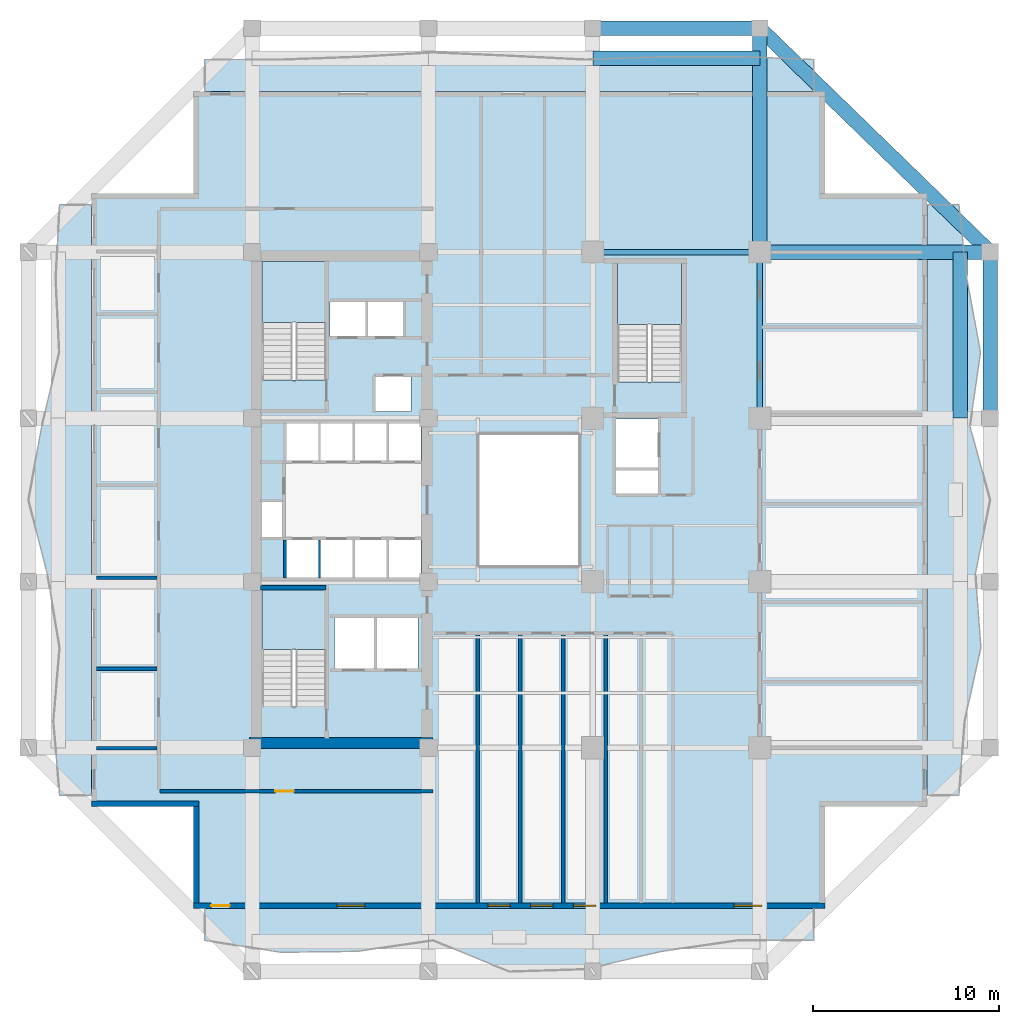
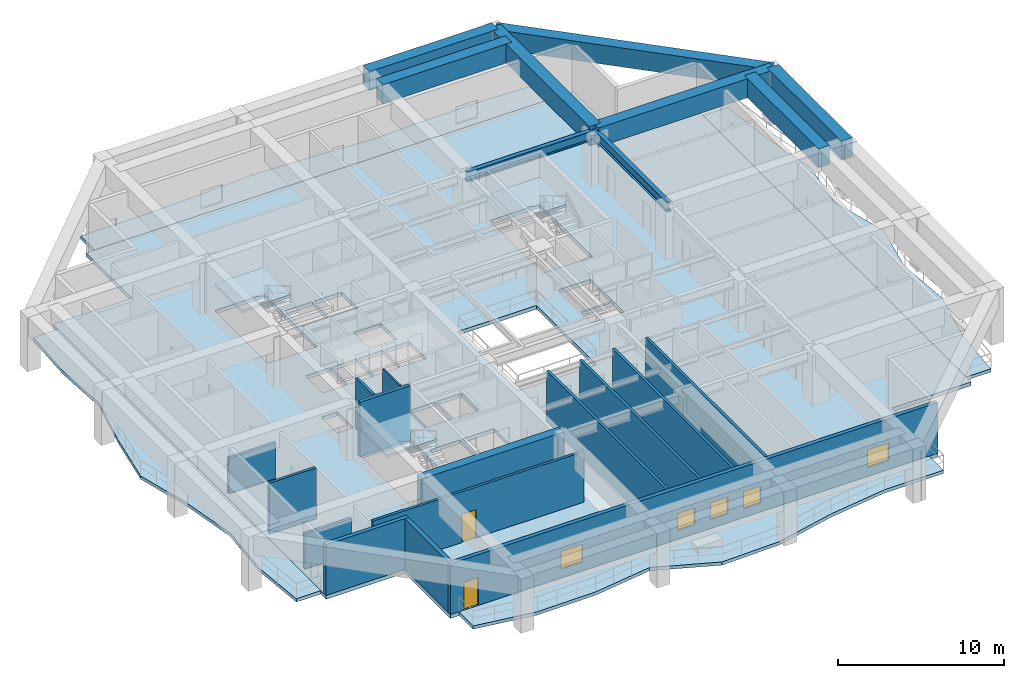
# One storey, part 2 of 13: 15 walls, 9 beams, 8 slabs, 5 windows, 2 doors, 7 openings, 3 elements without a shape of their own.
"""IFC4 building model written with IfcOpenShell, lengths in metres."""

from ifc_helpers import new_model, si_unit, direction, frame, frame_2d, origin, origin_2d, place, context, subcontext, project, spatial, polyline, rectangle, i_section, outline, extrude, material, layer, layer_set, material_profile, profile_set, type_object, element, fill, aggregate, save


model = new_model("IFC4")

# Units and contexts
model_context = context("Model", 3, precision=1e-05, world=origin(), true_north=direction((0.0, 1.0)))
body_context = subcontext(model_context, "Body", "Model", "MODEL_VIEW")
ifc_project = project(units=[si_unit("LENGTHUNIT", "METRE"), si_unit("AREAUNIT", "SQUARE_METRE"), si_unit("VOLUMEUNIT", "CUBIC_METRE"), si_unit("PLANEANGLEUNIT", "RADIAN"), si_unit("MASSUNIT", "GRAM", prefix="KILO")], contexts=[model_context])

# Site, building, storey
site_placement = place(None, origin())
site = spatial("IfcSite", under=ifc_project, at=site_placement, CompositionType="ELEMENT")
building_placement = place(site_placement, origin())
building = spatial("IfcBuilding", under=site, at=building_placement, Name="Kundavana Baori Tower", CompositionType="ELEMENT")
storey_placement = place(building_placement, frame((0.0, 0.0, 78.0)))
storey = spatial("IfcBuildingStorey", under=building, at=storey_placement, Name="L18", CompositionType="ELEMENT", Elevation=78.0)

# Beams
ifc_material_1 = material(Name="Structural Steel S355JR", Category="steel")
ifc_material_profile_1 = material_profile(ifc_material_1, i_section(OverallWidth=0.300048828125, OverallDepth=0.699951171875, WebThickness=0.014404296875, FlangeThickness=0.02392578125, FilletRadius=0.02392578125, at=origin_2d()), Name="NPB 700x300x170")
ifc_profile_set_1 = profile_set([ifc_material_profile_1], Name="Structural Steel S355JR")
beam_type_1 = type_object("IfcBeamType", Name="BM-ST-700", PredefinedType="BEAM", material=ifc_profile_set_1)
beam_1_placement = place(storey_placement, frame((33.800048828125, 41.949951171875, 3.389892578125), z_axis=(1.0, 0.0, 0.0), x_axis=(0.0, 1.0, 0.0)))
element("IfcBeam", 1, at=beam_1_placement, inside=storey, type_object=beam_type_1, Name="L18 Primary Grid Girder GX-4-3", PredefinedType="BEAM", context=body_context, shape_type="SweptSolid", body=[
    extrude(i_section(OverallWidth=0.300048828125, OverallDepth=0.699951171875, WebThickness=0.014404296875, FlangeThickness=0.02392578125, FilletRadius=0.02392578125, at=origin_2d()), origin(), (0.0, 0.0, 1.0), 9.0),
])
beam_2_placement = place(storey_placement, frame((42.800048828125, 33.0, 3.389892578125), z_axis=(0.0, 1.0, 0.0), x_axis=(-1.0, 0.0, 0.0)))
element("IfcBeam", 2, at=beam_2_placement, inside=storey, type_object=beam_type_1, Name="L18 Primary Grid Girder GY-4-3", PredefinedType="BEAM", context=body_context, shape_type="SweptSolid", body=[
    extrude(i_section(OverallWidth=0.300048828125, OverallDepth=0.699951171875, WebThickness=0.014404296875, FlangeThickness=0.02392578125, FilletRadius=0.02392578125, at=origin_2d()), origin(), (0.0, 0.0, 1.0), 8.949951171875),
])
ifc_material_2 = material(Name="Concrete C50/60", Category="concrete")
ifc_material_profile_2 = material_profile(ifc_material_2, rectangle(XDim=0.780029296875, YDim=1.39990234375, at=origin_2d()), Name="BM-TG-2")
ifc_profile_set_2 = profile_set([ifc_material_profile_2], Name="Concrete C50/60")
beam_type_2 = type_object("IfcBeamType", Name="BM-TG-2", PredefinedType="USERDEFINED", material=ifc_profile_set_2)
beam_3_placement = place(storey_placement, frame((33.800048828125, 54.0, 3.300048828125), z_axis=(1.0, 0.0, 0.0), x_axis=(0.0, 1.0, 0.0)))
element("IfcBeam", 3, at=beam_3_placement, inside=storey, type_object=beam_type_2, Name="L18 Perimeter Frame Ring Beam N3", ObjectType="TRANSFER GIRDER", PredefinedType="USERDEFINED", context=body_context, shape_type="SweptSolid", body=[
    extrude(rectangle(XDim=0.780029296875, YDim=1.39990234375, at=origin_2d()), origin(), (0.0, 0.0, 1.0), 9.0),
])
beam_4_placement = place(storey_placement, frame((55.199951171875, 33.0, 3.300048828125), z_axis=(0.0, 1.0, 0.0), x_axis=(-1.0, 0.0, 0.0)))
element("IfcBeam", 4, at=beam_4_placement, inside=storey, type_object=beam_type_2, Name="L18 Perimeter Frame Ring Beam E3", ObjectType="TRANSFER GIRDER", PredefinedType="USERDEFINED", context=body_context, shape_type="SweptSolid", body=[
    extrude(rectangle(XDim=0.780029296875, YDim=1.39990234375, at=origin_2d()), origin(), (0.0, 0.0, 1.0), 8.949951171875),
])
beam_5_placement = place(storey_placement, frame((42.800048828125, 54.0, 3.300048828125), z_axis=(0.717151334594, -0.696917472367, 0.0), x_axis=(0.696917472367, 0.717151334594, 0.0)))
element("IfcBeam", 5, at=beam_5_placement, inside=storey, type_object=beam_type_2, Name="L18 Notched Corner Perimeter Beam NE", ObjectType="TRANSFER GIRDER", PredefinedType="USERDEFINED", context=body_context, shape_type="SweptSolid", body=[
    extrude(rectangle(XDim=0.780029296875, YDim=1.39990234375, at=origin_2d()), origin(), (0.0, 0.0, 1.0), 17.29052734375),
])
beam_6_placement = place(storey_placement, frame((42.800048828125, 41.949951171875, 3.300048828125), z_axis=(0.0, 1.0, 0.0), x_axis=(-1.0, 0.0, 0.0)))
element("IfcBeam", 6, at=beam_6_placement, inside=storey, type_object=beam_type_2, Name="L18 North Radial Transfer Girder N4", ObjectType="TRANSFER GIRDER", PredefinedType="USERDEFINED", context=body_context, shape_type="SweptSolid", body=[
    extrude(rectangle(XDim=0.780029296875, YDim=1.39990234375, at=origin_2d()), origin(), (0.0, 0.0, 1.0), 12.050048828125),
])
beam_7_placement = place(storey_placement, frame((42.800048828125, 41.949951171875, 3.300048828125), z_axis=(1.0, 0.0, 0.0), x_axis=(0.0, 1.0, 0.0)))
element("IfcBeam", 7, at=beam_7_placement, inside=storey, type_object=beam_type_2, Name="L18 East Radial Transfer Girder E4", ObjectType="TRANSFER GIRDER", PredefinedType="USERDEFINED", context=body_context, shape_type="SweptSolid", body=[
    extrude(rectangle(XDim=0.780029296875, YDim=1.39990234375, at=origin_2d()), origin(), (0.0, 0.0, 1.0), 12.39990234375),
])
beam_8_placement = place(storey_placement, frame((33.800048828125, 52.39990234375, 3.300048828125), z_axis=(1.0, 0.0, 0.0), x_axis=(0.0, 1.0, 0.0)))
element("IfcBeam", 8, at=beam_8_placement, inside=storey, type_object=beam_type_2, Name="L18 Setback Collar Transfer Girder N3", ObjectType="TRANSFER GIRDER", PredefinedType="USERDEFINED", context=body_context, shape_type="SweptSolid", body=[
    extrude(rectangle(XDim=0.780029296875, YDim=1.39990234375, at=origin_2d()), origin(), (0.0, 0.0, 1.0), 9.0),
])
beam_9_placement = place(storey_placement, frame((53.60009765625, 33.0, 3.300048828125), z_axis=(0.0, 1.0, 0.0), x_axis=(-1.0, 0.0, 0.0)))
element("IfcBeam", 9, at=beam_9_placement, inside=storey, type_object=beam_type_2, Name="L18 Setback Collar Transfer Girder E3", ObjectType="TRANSFER GIRDER", PredefinedType="USERDEFINED", context=body_context, shape_type="SweptSolid", body=[
    extrude(rectangle(XDim=0.780029296875, YDim=1.39990234375, at=origin_2d()), origin(), (0.0, 0.0, 1.0), 8.949951171875),
])

# Slab
ifc_material_3 = material(Name="Concrete C40/50", Category="concrete")
ifc_layer_1 = layer(ifc_material_3, 0.280029296875, Name="SLB-FLR-280")
ifc_layer_set_1 = layer_set([ifc_layer_1], Name="Concrete C40/50")
slab_type_1 = type_object("IfcSlabType", Name="SLB-FLR-280", PredefinedType="FLOOR", material=ifc_layer_set_1)
slab_1_placement = place(storey_placement, frame((0.0, 0.0, -0.280029296875)))
element("IfcSlab", 10, at=slab_1_placement, inside=storey, type_object=slab_type_1, Name="L18 Structural Floor Slab", PredefinedType="FLOOR", context=body_context, shape_type="SweptSolid", body=[
    extrude(outline(polyline([(12.300048828125, 6.60009765625), (46.300048828125, 6.60009765625), (46.300048828125, 12.10009765625), (51.800048828125, 12.10009765625), (51.800048828125, 45.10009765625), (46.300048828125, 45.10009765625), (46.300048828125, 50.60009765625), (12.300048828125, 50.60009765625), (12.300048828125, 45.10009765625), (6.800048828125, 45.10009765625), (6.800048828125, 12.10009765625), (12.300048828125, 12.10009765625), (12.300048828125, 6.60009765625)]), holes=[polyline([(19.43994140625, 17.4619140625), (19.43994140625, 23.85009765625), (15.97998046875, 23.85009765625), (15.97998046875, 17.4619140625), (19.43994140625, 17.4619140625)]), polyline([(19.43994140625, 35.06201171875), (19.43994140625, 41.449951171875), (15.97998046875, 41.449951171875), (15.97998046875, 35.06201171875), (19.43994140625, 35.06201171875)]), polyline([(38.580078125, 34.9619140625), (38.580078125, 41.35009765625), (35.1201171875, 41.35009765625), (35.1201171875, 34.9619140625), (38.580078125, 34.9619140625)]), polyline([(17.300048828125, 24.39990234375), (19.02001953125, 24.39990234375), (19.02001953125, 26.449951171875), (17.300048828125, 26.449951171875), (17.300048828125, 24.39990234375)]), polyline([(19.139892578125, 24.39990234375), (20.860107421875, 24.39990234375), (20.860107421875, 26.449951171875), (19.139892578125, 26.449951171875), (19.139892578125, 24.39990234375)]), polyline([(20.97998046875, 24.39990234375), (22.699951171875, 24.39990234375), (22.699951171875, 26.449951171875), (20.97998046875, 26.449951171875), (20.97998046875, 24.39990234375)]), polyline([(22.820068359375, 24.39990234375), (24.5400390625, 24.39990234375), (24.5400390625, 26.449951171875), (22.820068359375, 26.449951171875), (22.820068359375, 24.39990234375)]), polyline([(17.300048828125, 30.699951171875), (19.02001953125, 30.699951171875), (19.02001953125, 32.75), (17.300048828125, 32.75), (17.300048828125, 30.699951171875)]), polyline([(19.139892578125, 30.699951171875), (20.860107421875, 30.699951171875), (20.860107421875, 32.75), (19.139892578125, 32.75), (19.139892578125, 30.699951171875)]), polyline([(20.97998046875, 30.699951171875), (22.699951171875, 30.699951171875), (22.699951171875, 32.75), (20.97998046875, 32.75), (20.97998046875, 30.699951171875)]), polyline([(22.820068359375, 30.699951171875), (24.5400390625, 30.699951171875), (24.5400390625, 32.75), (22.820068359375, 32.75), (22.820068359375, 30.699951171875)]), polyline([(19.64990234375, 37.39990234375), (21.550048828125, 37.39990234375), (21.550048828125, 39.300048828125), (19.64990234375, 39.300048828125), (19.64990234375, 37.39990234375)]), polyline([(21.699951171875, 37.39990234375), (23.60009765625, 37.39990234375), (23.60009765625, 39.300048828125), (21.699951171875, 39.300048828125), (21.699951171875, 37.39990234375)]), polyline([(22.10009765625, 33.35009765625), (24.0, 33.35009765625), (24.0, 35.25), (22.10009765625, 35.25), (22.10009765625, 33.35009765625)]), polyline([(19.8798828125, 19.5), (22.02001953125, 19.5), (22.02001953125, 22.25), (19.8798828125, 22.25), (19.8798828125, 19.5)]), polyline([(22.179931640625, 19.5), (24.3798828125, 19.5), (24.3798828125, 22.25), (22.179931640625, 22.25), (22.179931640625, 19.5)]), polyline([(35.050048828125, 30.35009765625), (37.300048828125, 30.35009765625), (37.300048828125, 32.949951171875), (35.050048828125, 32.949951171875), (35.050048828125, 30.35009765625)]), polyline([(15.949951171875, 26.60009765625), (17.080078125, 26.60009765625), (17.080078125, 28.5), (15.949951171875, 28.5), (15.949951171875, 26.60009765625)]), polyline([(35.050048828125, 28.949951171875), (37.300048828125, 28.949951171875), (37.300048828125, 30.199951171875), (35.050048828125, 30.199951171875), (35.050048828125, 28.949951171875)]), polyline([(27.60009765625, 25.0), (33.10009765625, 25.0), (33.10009765625, 32.199951171875), (27.60009765625, 32.199951171875), (27.60009765625, 25.0)])]), origin(), (0.0, 0.0, 1.0), 0.280029296875),
])

# Stair, slab
ifc_material_4 = material(Name="Concrete C40/50", Category="concrete")
stair_type = type_object("IfcStairType", Name="STR-DOG-1650", PredefinedType="HALF_TURN_STAIR", material=ifc_material_4)
stair_1_placement = place(storey_placement, origin())
stair_1 = element("IfcStair", 11, at=stair_1_placement, inside=storey, type_object=stair_type, Name="L18 Protected Exit Stair ST1", PredefinedType="HALF_TURN_STAIR")
ifc_material_5 = material(Name="Concrete C40/50", Category="concrete")
ifc_layer_2 = layer(ifc_material_5, 0.199951171875, Name="SLB-LND-200")
ifc_layer_set_2 = layer_set([ifc_layer_2], Name="Concrete C40/50")
slab_type_2 = type_object("IfcSlabType", Name="SLB-LND-200", PredefinedType="LANDING", material=ifc_layer_set_2)
slab_2_placement = place(storey_placement, frame((0.0, 0.0, 1.800048828125)))
slab_2 = element("IfcSlab", 12, at=slab_2_placement, type_object=slab_type_2, Name="ST1 landing 1", PredefinedType="LANDING", context=body_context, shape_type="SweptSolid", body=[
    extrude(outline(polyline([(19.43994140625, 20.550048828125), (19.43994140625, 23.85009765625), (15.97998046875, 23.85009765625), (15.97998046875, 20.550048828125), (19.43994140625, 20.550048828125)])), origin(), (0.0, 0.0, 1.0), 0.199951171875),
])
aggregate(stair_1, [slab_2])

stair_2_placement = place(storey_placement, origin())
stair_2 = element("IfcStair", 13, at=stair_2_placement, inside=storey, type_object=stair_type, Name="L18 Protected Exit Stair ST2", PredefinedType="HALF_TURN_STAIR")
slab_3_placement = place(storey_placement, frame((0.0, 0.0, 1.800048828125)))
slab_3 = element("IfcSlab", 14, at=slab_3_placement, type_object=slab_type_2, Name="ST2 landing 1", PredefinedType="LANDING", context=body_context, shape_type="SweptSolid", body=[
    extrude(outline(polyline([(19.43994140625, 38.14990234375), (19.43994140625, 41.449951171875), (15.97998046875, 41.449951171875), (15.97998046875, 38.14990234375), (19.43994140625, 38.14990234375)])), origin(), (0.0, 0.0, 1.0), 0.199951171875),
])
aggregate(stair_2, [slab_3])

stair_3_placement = place(storey_placement, origin())
stair_3 = element("IfcStair", 15, at=stair_3_placement, inside=storey, type_object=stair_type, Name="L18 Protected Exit Stair ST3", PredefinedType="HALF_TURN_STAIR")
slab_4_placement = place(storey_placement, frame((0.0, 0.0, 1.800048828125)))
slab_4 = element("IfcSlab", 16, at=slab_4_placement, type_object=slab_type_2, Name="ST3 landing 1", PredefinedType="LANDING", context=body_context, shape_type="SweptSolid", body=[
    extrude(outline(polyline([(38.580078125, 38.050048828125), (38.580078125, 41.35009765625), (35.1201171875, 41.35009765625), (35.1201171875, 38.050048828125), (38.580078125, 38.050048828125)])), origin(), (0.0, 0.0, 1.0), 0.199951171875),
])
aggregate(stair_3, [slab_4])

# Slabs
ifc_material_6 = material(Name="Concrete C40/50", Category="concrete")
ifc_layer_3 = layer(ifc_material_6, 0.239990234375, Name="SLB-LOG-240")
ifc_layer_set_3 = layer_set([ifc_layer_3], Name="Concrete C40/50")
slab_type_3 = type_object("IfcSlabType", Name="SLB-LOG-240", PredefinedType="FLOOR", material=ifc_layer_set_3)
slab_5_placement = place(storey_placement, frame((0.0, 0.0, -0.239990234375)))
element("IfcSlab", 17, at=slab_5_placement, inside=storey, type_object=slab_type_3, Name="L18 Planted Loggia Balcony Slab S", PredefinedType="FLOOR", context=body_context, shape_type="SweptSolid", body=[
    extrude(outline(polyline([(12.89990234375, 6.60009765625), (45.699951171875, 6.60009765625), (45.699951171875, 4.8798828125), (41.60009765625, 4.8798828125), (37.5, 4.285888671875), (33.39990234375, 3.327880859375), (29.300048828125, 3.199951171875), (25.199951171875, 4.8798828125), (21.10009765625, 4.285888671875), (17.0, 4.237060546875), (12.89990234375, 4.8798828125), (12.89990234375, 6.60009765625)])), origin(), (0.0, 0.0, 1.0), 0.239990234375),
])
slab_6_placement = place(storey_placement, frame((0.0, 0.0, -0.239990234375)))
element("IfcSlab", 18, at=slab_6_placement, inside=storey, type_object=slab_type_3, Name="L18 Planted Loggia Balcony Slab E", PredefinedType="FLOOR", context=body_context, shape_type="SweptSolid", body=[
    extrude(outline(polyline([(51.800048828125, 12.699951171875), (51.800048828125, 44.5), (53.52001953125, 44.5), (53.947021484375, 40.52490234375), (54.68408203125, 36.550048828125), (54.112060546875, 32.574951171875), (55.199951171875, 28.60009765625), (54.406982421875, 24.625), (54.705078125, 20.64990234375), (53.825927734375, 16.675048828125), (53.52001953125, 12.699951171875), (51.800048828125, 12.699951171875)])), origin(), (0.0, 0.0, 1.0), 0.239990234375),
])
slab_7_placement = place(storey_placement, frame((0.0, 0.0, -0.239990234375)))
element("IfcSlab", 19, at=slab_7_placement, inside=storey, type_object=slab_type_3, Name="L18 Planted Loggia Balcony Slab N", PredefinedType="FLOOR", context=body_context, shape_type="SweptSolid", body=[
    extrude(outline(polyline([(45.699951171875, 50.60009765625), (12.89990234375, 50.60009765625), (12.89990234375, 52.320068359375), (17.0, 52.320068359375), (21.10009765625, 52.468017578125), (25.199951171875, 52.7080078125), (29.300048828125, 52.530029296875), (33.39990234375, 52.320068359375), (37.5, 52.468017578125), (41.60009765625, 52.48095703125), (45.699951171875, 52.320068359375), (45.699951171875, 50.60009765625)])), origin(), (0.0, 0.0, 1.0), 0.239990234375),
])
slab_8_placement = place(storey_placement, frame((0.0, 0.0, -0.239990234375)))
element("IfcSlab", 20, at=slab_8_placement, inside=storey, type_object=slab_type_3, Name="L18 Planted Loggia Balcony Slab W", PredefinedType="FLOOR", context=body_context, shape_type="SweptSolid", body=[
    extrude(outline(polyline([(6.800048828125, 44.5), (6.800048828125, 12.699951171875), (5.080078125, 12.699951171875), (4.742919921875, 16.675048828125), (5.076904296875, 20.64990234375), (4.4150390625, 24.625), (3.39990234375, 28.60009765625), (4.1201171875, 32.574951171875), (5.055908203125, 36.550048828125), (4.864013671875, 40.52490234375), (5.080078125, 44.5), (6.800048828125, 44.5)])), origin(), (0.0, 0.0, 1.0), 0.239990234375),
])

# Walls
ifc_material_7 = material(Name="Concrete C50/60", Category="concrete")
ifc_layer_4 = layer(ifc_material_7, 0.39990234375, Name="WL-CORE-400")
ifc_layer_set_4 = layer_set([ifc_layer_4], Name="Concrete C50/60")
wall_type_1 = type_object("IfcWallType", Name="WL-CORE-400", PredefinedType="SHEAR", material=ifc_layer_set_4)
wall_1_placement = place(storey_placement, frame((15.89990234375, 23.860107421875, 0.0), z_axis=(0.0, 0.0, 1.0), x_axis=(1.0, 0.0, 0.0)))
element("IfcWall", 21, at=wall_1_placement, inside=storey, type_object=wall_type_1, Name="WL-L18-ST1-N", PredefinedType="SHEAR", context=body_context, shape_type="SweptSolid", body=[
    extrude(rectangle(XDim=3.52001953125, YDim=0.239990234375, at=frame_2d((1.760009765625, 0.0))), origin(), (0.0, 0.0, 1.0), 4.0),
])
ifc_material_8 = material(Name="Concrete C60/75", Category="concrete")
ifc_layer_5 = layer(ifc_material_8, 0.60009765625, Name="WL-CORE-600")
ifc_layer_set_5 = layer_set([ifc_layer_5], Name="Concrete C60/75")
wall_type_2 = type_object("IfcWallType", Name="WL-CORE-600", PredefinedType="SHEAR", material=ifc_layer_set_5)
wall_2_placement = place(storey_placement, frame((15.300048828125, 15.510009765625, 0.0), z_axis=(0.0, 0.0, 1.0), x_axis=(1.0, 0.0, 0.0)))
element("IfcWall", 22, at=wall_2_placement, inside=storey, type_object=wall_type_2, Name="L18 Offset Core South Shear Wall", PredefinedType="SHEAR", context=body_context, shape_type="SweptSolid", body=[
    extrude(rectangle(XDim=9.8798828125, YDim=0.60009765625, at=frame_2d((4.93994140625, 0.0))), origin(), (0.0, 0.0, 1.0), 3.739990234375),
])

# Wall, openings, door, windows
ifc_material_9 = material(Name="Red-Buff Dholpur Sandstone Cladding on Concrete C40/50", Category="masonry")
ifc_layer_6 = layer(ifc_material_9, 0.280029296875, Name="WL-EXT-SAND-280")
ifc_layer_set_6 = layer_set([ifc_layer_6], Name="Red-Buff Dholpur Sandstone Cladding on Concrete C40/50")
wall_type_3 = type_object("IfcWallType", Name="WL-EXT-SAND-280", PredefinedType="STANDARD", material=ifc_layer_set_6)
wall_3_placement = place(storey_placement, frame((12.300048828125, 6.739990234375, 0.0), z_axis=(0.0, 0.0, 1.0), x_axis=(1.0, 0.0, 0.0)))
wall_3 = element("IfcWall", 23, at=wall_3_placement, inside=storey, type_object=wall_type_3, Name="L18 Exterior Insulated Facade Wall 01", PredefinedType="STANDARD", context=body_context, shape_type="SweptSolid", body=[
    extrude(rectangle(XDim=34.0, YDim=0.280029296875, at=frame_2d((17.0, 0.0))), origin(), (0.0, 0.0, 1.0), 3.739990234375),
])
opening_1_placement = place(wall_3_placement, frame((0.949951171875, 0.0, 0.0)))
opening_1 = element("IfcOpeningElement", 24, at=opening_1_placement, cuts=wall_3, Name="Opening BD-1", PredefinedType="OPENING", context=body_context, shape_type="SweptSolid", body=[
    extrude(rectangle(XDim=1.0, YDim=2.050048828125, at=frame_2d((0.5, 1.02490234375))), frame((0.0, 0.14990234375, 0.0), z_axis=(0.0, -1.0, 0.0), x_axis=(1.0, 0.0, 0.0)), (0.0, 0.0, 1.0), 0.300048828125),
])
opening_2_placement = place(wall_3_placement, frame((7.72998046875, 0.0, 0.64990234375)))
opening_2 = element("IfcOpeningElement", 25, at=opening_2_placement, cuts=wall_3, Name="Opening W-11", PredefinedType="OPENING", context=body_context, shape_type="SweptSolid", body=[
    extrude(rectangle(XDim=1.5, YDim=1.300048828125, at=frame_2d((0.75, 0.64990234375))), frame((0.0, 0.14990234375, 0.0), z_axis=(0.0, -1.0, 0.0), x_axis=(1.0, 0.0, 0.0)), (0.0, 0.0, 1.0), 0.300048828125),
])
opening_3_placement = place(wall_3_placement, frame((15.85009765625, 0.0, 0.64990234375)))
opening_3 = element("IfcOpeningElement", 26, at=opening_3_placement, cuts=wall_3, Name="Opening W-12", PredefinedType="OPENING", context=body_context, shape_type="SweptSolid", body=[
    extrude(rectangle(XDim=1.199951171875, YDim=1.25, at=frame_2d((0.60009765625, 0.625))), frame((0.0, 0.14990234375, 0.0), z_axis=(0.0, -1.0, 0.0), x_axis=(1.0, 0.0, 0.0)), (0.0, 0.0, 1.0), 0.300048828125),
])
opening_4_placement = place(wall_3_placement, frame((18.14990234375, 0.0, 0.64990234375)))
opening_4 = element("IfcOpeningElement", 27, at=opening_4_placement, cuts=wall_3, Name="Opening W-12", PredefinedType="OPENING", context=body_context, shape_type="SweptSolid", body=[
    extrude(rectangle(XDim=1.199951171875, YDim=1.25, at=frame_2d((0.60009765625, 0.625))), frame((0.0, 0.14990234375, 0.0), z_axis=(0.0, -1.0, 0.0), x_axis=(1.0, 0.0, 0.0)), (0.0, 0.0, 1.0), 0.300048828125),
])
opening_5_placement = place(wall_3_placement, frame((20.449951171875, 0.0, 0.64990234375)))
opening_5 = element("IfcOpeningElement", 28, at=opening_5_placement, cuts=wall_3, Name="Opening W-12", PredefinedType="OPENING", context=body_context, shape_type="SweptSolid", body=[
    extrude(rectangle(XDim=1.199951171875, YDim=1.25, at=frame_2d((0.60009765625, 0.625))), frame((0.0, 0.14990234375, 0.0), z_axis=(0.0, -1.0, 0.0), x_axis=(1.0, 0.0, 0.0)), (0.0, 0.0, 1.0), 0.300048828125),
])
opening_6_placement = place(wall_3_placement, frame((29.10498046875, 0.0, 0.64990234375)))
opening_6 = element("IfcOpeningElement", 29, at=opening_6_placement, cuts=wall_3, Name="Opening W-11", PredefinedType="OPENING", context=body_context, shape_type="SweptSolid", body=[
    extrude(rectangle(XDim=1.5, YDim=1.300048828125, at=frame_2d((0.75, 0.64990234375))), frame((0.0, 0.14990234375, 0.0), z_axis=(0.0, -1.0, 0.0), x_axis=(1.0, 0.0, 0.0)), (0.0, 0.0, 1.0), 0.300048828125),
])
ifc_material_10 = material(Name="Architectural Patinated Bronze Metalwork")
door_type_1 = type_object("IfcDoorType", Name="DR-EXT-LOG-1000", OperationType="NOTDEFINED", PredefinedType="DOOR", material=ifc_material_10)
door_1_placement = place(opening_1_placement, frame((1.0, 0.0, 0.0), z_axis=(0.0, 0.0, 1.0), x_axis=(-1.0, 0.0, 0.0)))
door_1 = element("IfcDoor", 30, at=door_1_placement, inside=storey, type_object=door_type_1, Name="L18 Loggia Balcony Access Door S", OperationType="SINGLE_SWING_LEFT", OverallHeight=2.050048828125, OverallWidth=1.0, PredefinedType="DOOR", context=body_context, shape_type="SweptSolid", body=[
    extrude(rectangle(XDim=1.0, YDim=2.050048828125, at=frame_2d((0.5, 1.02490234375))), frame((0.0, 0.02490234375, 0.0), z_axis=(0.0, -1.0, 0.0), x_axis=(1.0, 0.0, 0.0)), (0.0, 0.0, 1.0), 0.050048828125),
])
fill(opening_1, door_1)
ifc_material_11 = material(Name="Double-Glazed Solar-Control Low-E Insulated Glass", Category="glass")
window_type_1 = type_object("IfcWindowType", Name="WIN-TRN-1200x1250", PartitioningType="SINGLE_PANEL", PredefinedType="WINDOW", material=ifc_material_11)
window_1_placement = place(opening_3_placement, origin())
window_1 = element("IfcWindow", 31, at=window_1_placement, inside=storey, type_object=window_type_1, Name="L18 Recessed Loggia Window S-2", OverallHeight=1.25, OverallWidth=1.199951171875, PartitioningType="SINGLE_PANEL", PredefinedType="WINDOW", context=body_context, shape_type="SweptSolid", body=[
    extrude(rectangle(XDim=1.199951171875, YDim=1.25, at=frame_2d((0.60009765625, 0.625))), frame((0.0, 0.030029296875, 0.0), z_axis=(0.0, -1.0, 0.0), x_axis=(1.0, 0.0, 0.0)), (0.0, 0.0, 1.0), 0.06005859375),
])
fill(opening_3, window_1)
window_2_placement = place(opening_4_placement, origin())
window_2 = element("IfcWindow", 32, at=window_2_placement, inside=storey, type_object=window_type_1, Name="L18 Recessed Loggia Window S-3", OverallHeight=1.25, OverallWidth=1.199951171875, PartitioningType="SINGLE_PANEL", PredefinedType="WINDOW", context=body_context, shape_type="SweptSolid", body=[
    extrude(rectangle(XDim=1.199951171875, YDim=1.25, at=frame_2d((0.60009765625, 0.625))), frame((0.0, 0.030029296875, 0.0), z_axis=(0.0, -1.0, 0.0), x_axis=(1.0, 0.0, 0.0)), (0.0, 0.0, 1.0), 0.06005859375),
])
fill(opening_4, window_2)
window_3_placement = place(opening_5_placement, origin())
window_3 = element("IfcWindow", 33, at=window_3_placement, inside=storey, type_object=window_type_1, Name="L18 Recessed Loggia Window S-4", OverallHeight=1.25, OverallWidth=1.199951171875, PartitioningType="SINGLE_PANEL", PredefinedType="WINDOW", context=body_context, shape_type="SweptSolid", body=[
    extrude(rectangle(XDim=1.199951171875, YDim=1.25, at=frame_2d((0.60009765625, 0.625))), frame((0.0, 0.030029296875, 0.0), z_axis=(0.0, -1.0, 0.0), x_axis=(1.0, 0.0, 0.0)), (0.0, 0.0, 1.0), 0.06005859375),
])
fill(opening_5, window_3)
ifc_material_12 = material(Name="Double-Glazed Solar-Control Low-E Insulated Glass", Category="glass")
window_type_2 = type_object("IfcWindowType", Name="WIN-TRN-1500x1300", PartitioningType="SINGLE_PANEL", PredefinedType="WINDOW", material=ifc_material_12)
window_4_placement = place(opening_2_placement, origin())
window_4 = element("IfcWindow", 34, at=window_4_placement, inside=storey, type_object=window_type_2, Name="L18 Recessed Loggia Window S-1", OverallHeight=1.300048828125, OverallWidth=1.5, PartitioningType="SINGLE_PANEL", PredefinedType="WINDOW", context=body_context, shape_type="SweptSolid", body=[
    extrude(rectangle(XDim=1.5, YDim=1.300048828125, at=frame_2d((0.75, 0.64990234375))), frame((0.0, 0.030029296875, 0.0), z_axis=(0.0, -1.0, 0.0), x_axis=(1.0, 0.0, 0.0)), (0.0, 0.0, 1.0), 0.06005859375),
])
fill(opening_2, window_4)
window_5_placement = place(opening_6_placement, origin())
window_5 = element("IfcWindow", 35, at=window_5_placement, inside=storey, type_object=window_type_2, Name="L18 Recessed Loggia Window S-5", OverallHeight=1.300048828125, OverallWidth=1.5, PartitioningType="SINGLE_PANEL", PredefinedType="WINDOW", context=body_context, shape_type="SweptSolid", body=[
    extrude(rectangle(XDim=1.5, YDim=1.300048828125, at=frame_2d((0.75, 0.64990234375))), frame((0.0, 0.030029296875, 0.0), z_axis=(0.0, -1.0, 0.0), x_axis=(1.0, 0.0, 0.0)), (0.0, 0.0, 1.0), 0.06005859375),
])
fill(opening_6, window_5)

# Walls
wall_4_placement = place(storey_placement, frame((6.800048828125, 12.239990234375, 0.0), z_axis=(0.0, 0.0, 1.0), x_axis=(1.0, 0.0, 0.0)))
element("IfcWall", 36, at=wall_4_placement, inside=storey, type_object=wall_type_3, Name="L18 Exterior Insulated Facade Wall 11", PredefinedType="STANDARD", context=body_context, shape_type="SweptSolid", body=[
    extrude(rectangle(XDim=5.780029296875, YDim=0.280029296875, at=frame_2d((2.89013671875, 0.0))), origin(), (0.0, 0.0, 1.0), 3.739990234375),
])
wall_5_placement = place(storey_placement, frame((12.43994140625, 12.10009765625, 0.0), z_axis=(0.0, 0.0, 1.0), x_axis=(0.0, -1.0, 0.0)))
element("IfcWall", 37, at=wall_5_placement, inside=storey, type_object=wall_type_3, Name="L18 Exterior Insulated Facade Wall 12", PredefinedType="STANDARD", context=body_context, shape_type="SweptSolid", body=[
    extrude(rectangle(XDim=5.22021484375, YDim=0.280029296875, at=frame_2d((2.610107421875, 0.0))), origin(), (0.0, 0.0, 1.0), 3.739990234375),
])
ifc_material_13 = material(Name="Acoustic Gypsum Plasterboard on Galvanised Steel Studs", Category="steel")
ifc_layer_7 = layer(ifc_material_13, 0.1201171875, Name="WL-PART-120")
ifc_layer_set_7 = layer_set([ifc_layer_7], Name="Acoustic Gypsum Plasterboard on Galvanised Steel Studs")
wall_type_4 = type_object("IfcWallType", Name="WL-PART-120", PredefinedType="PARTITIONING", material=ifc_layer_set_7)
wall_6_placement = place(storey_placement, frame((19.080078125, 24.39990234375, 0.0), z_axis=(0.0, 0.0, 1.0), x_axis=(0.0, 1.0, 0.0)))
element("IfcWall", 38, at=wall_6_placement, inside=storey, type_object=wall_type_4, Name="WL-L18-LPLOW-D1", PredefinedType="PARTITIONING", context=body_context, shape_type="SweptSolid", body=[
    extrude(rectangle(XDim=2.050048828125, YDim=0.1201171875, at=frame_2d((1.02490234375, 0.0))), origin(), (0.0, 0.0, 1.0), 3.739990234375),
])
ifc_material_14 = material(Name="Autoclaved Aerated Concrete Blockwork Masonry", Category="masonry")
ifc_layer_8 = layer(ifc_material_14, 0.18505859375, Name="WL-PART-180")
ifc_layer_set_8 = layer_set([ifc_layer_8], Name="Autoclaved Aerated Concrete Blockwork Masonry")
wall_type_5 = type_object("IfcWallType", Name="WL-PART-180", PredefinedType="SOLIDWALL", material=ifc_layer_set_8)
wall_7_placement = place(storey_placement, frame((7.080078125, 15.219970703125, 0.0), z_axis=(0.0, 0.0, 1.0), x_axis=(1.0, 0.0, 0.0)))
element("IfcWall", 39, at=wall_7_placement, inside=storey, type_object=wall_type_5, Name="WL-L18-OWS", PredefinedType="SOLIDWALL", context=body_context, shape_type="SweptSolid", body=[
    extrude(rectangle(XDim=3.260009765625, YDim=0.18505859375, at=frame_2d((1.6298828125, 0.0))), origin(), (0.0, 0.0, 1.0), 2.60009765625),
])

# Wall, opening, door
wall_8_placement = place(storey_placement, frame((10.5, 12.919921875, 0.0), z_axis=(0.0, 0.0, 1.0), x_axis=(1.0, 0.0, 0.0)))
wall_8 = element("IfcWall", 40, at=wall_8_placement, inside=storey, type_object=wall_type_5, Name="WL-L18-OSC", PredefinedType="SOLIDWALL", context=body_context, shape_type="SweptSolid", body=[
    extrude(rectangle(XDim=14.699951171875, YDim=0.18505859375, at=frame_2d((7.35009765625, 0.0))), origin(), (0.0, 0.0, 1.0), 3.739990234375),
])
opening_7_placement = place(wall_8_placement, frame((6.199951171875, 0.0, 0.0)))
opening_7 = element("IfcOpeningElement", 41, at=opening_7_placement, cuts=wall_8, Name="Opening ID-100", PredefinedType="OPENING", context=body_context, shape_type="SweptSolid", body=[
    extrude(rectangle(XDim=1.0, YDim=2.080078125, at=frame_2d((0.5, 1.0400390625))), frame((0.0, 0.1025390625, 0.0), z_axis=(0.0, -1.0, 0.0), x_axis=(1.0, 0.0, 0.0)), (0.0, 0.0, 1.0), 0.205078125),
])
ifc_material_15 = material(Name="Engineered Teak Solid-Core Timber Veneer", Category="wood")
door_type_2 = type_object("IfcDoorType", Name="DR-INT-1000", OperationType="NOTDEFINED", PredefinedType="DOOR", material=ifc_material_15)
door_2_placement = place(opening_7_placement, frame((1.0, 0.0, 0.0), z_axis=(0.0, 0.0, 1.0), x_axis=(-1.0, 0.0, 0.0)))
door_2 = element("IfcDoor", 42, at=door_2_placement, inside=storey, type_object=door_type_2, Name="DR-L18-OSWC", OperationType="SINGLE_SWING_LEFT", OverallHeight=2.080078125, OverallWidth=1.0, PredefinedType="DOOR", context=body_context, shape_type="SweptSolid", body=[
    extrude(rectangle(XDim=1.0, YDim=2.080078125, at=frame_2d((0.5, 1.0400390625))), frame((0.0, 0.02490234375, 0.0), z_axis=(0.0, -1.0, 0.0), x_axis=(1.0, 0.0, 0.0)), (0.0, 0.0, 1.0), 0.050048828125),
])
fill(opening_7, door_2)

# Walls
wall_9_placement = place(storey_placement, frame((7.080078125, 19.5, 0.0), z_axis=(0.0, 0.0, 1.0), x_axis=(1.0, 0.0, 0.0)))
element("IfcWall", 43, at=wall_9_placement, inside=storey, type_object=wall_type_5, Name="WL-L18-WD1", PredefinedType="SOLIDWALL", context=body_context, shape_type="SweptSolid", body=[
    extrude(rectangle(XDim=3.260009765625, YDim=0.18505859375, at=frame_2d((1.6298828125, 0.0))), origin(), (0.0, 0.0, 1.0), 3.739990234375),
])
wall_10_placement = place(storey_placement, frame((7.080078125, 24.39990234375, 0.0), z_axis=(0.0, 0.0, 1.0), x_axis=(1.0, 0.0, 0.0)))
element("IfcWall", 44, at=wall_10_placement, inside=storey, type_object=wall_type_5, Name="WL-L18-WD2", PredefinedType="SOLIDWALL", context=body_context, shape_type="SweptSolid", body=[
    extrude(rectangle(XDim=3.260009765625, YDim=0.18505859375, at=frame_2d((1.6298828125, 0.0))), origin(), (0.0, 0.0, 1.0), 2.60009765625),
])
for number, where, z_axis, x_axis, name in (
    (45, (27.60009765625, 6.8798828125, 0.0), (0.0, 0.0, 1.0), (0.0, 1.0, 0.0), "WL-L18-SD1"),
    (46, (29.89990234375, 6.8798828125, 0.0), (0.0, 0.0, 1.0), (0.0, 1.0, 0.0), "WL-L18-SD2"),
    (47, (32.199951171875, 6.8798828125, 0.0), (0.0, 0.0, 1.0), (0.0, 1.0, 0.0), "WL-L18-SD3"),
    (48, (34.5, 6.8798828125, 0.0), (0.0, 0.0, 1.0), (0.0, 1.0, 0.0), "WL-L18-SD4"),
):
    element("IfcWall", number, at=place(storey_placement, frame(where, z_axis=z_axis, x_axis=x_axis)), inside=storey, type_object=wall_type_5, Name=name, PredefinedType="SOLIDWALL", context=body_context, shape_type="SweptSolid", body=[
        extrude(rectangle(XDim=14.460205078125, YDim=0.18505859375, at=frame_2d((7.22998046875, 0.0))), origin(), (0.0, 0.0, 1.0), 3.739990234375),
    ])
ifc_material_16 = material(Name="Autoclaved Aerated Concrete Blockwork Masonry", Category="masonry")
ifc_layer_9 = layer(ifc_material_16, 0.179931640625, Name="WL-SHAFT-180")
ifc_layer_set_9 = layer_set([ifc_layer_9], Name="Autoclaved Aerated Concrete Blockwork Masonry")
wall_type_6 = type_object("IfcWallType", Name="WL-SHAFT-180", PredefinedType="SOLIDWALL", material=ifc_layer_set_9)
wall_11_placement = place(storey_placement, frame((17.219970703125, 24.39990234375, 0.0), z_axis=(0.0, 0.0, 1.0), x_axis=(0.0, 1.0, 0.0)))
element("IfcWall", 49, at=wall_11_placement, inside=storey, type_object=wall_type_6, Name="WL-L18-LPLOW-W", PredefinedType="SOLIDWALL", context=body_context, shape_type="SweptSolid", body=[
    extrude(rectangle(XDim=2.050048828125, YDim=0.179931640625, at=frame_2d((1.02490234375, 0.0))), origin(), (0.0, 0.0, 1.0), 3.739990234375),
])

save(model, "model.ifc")
